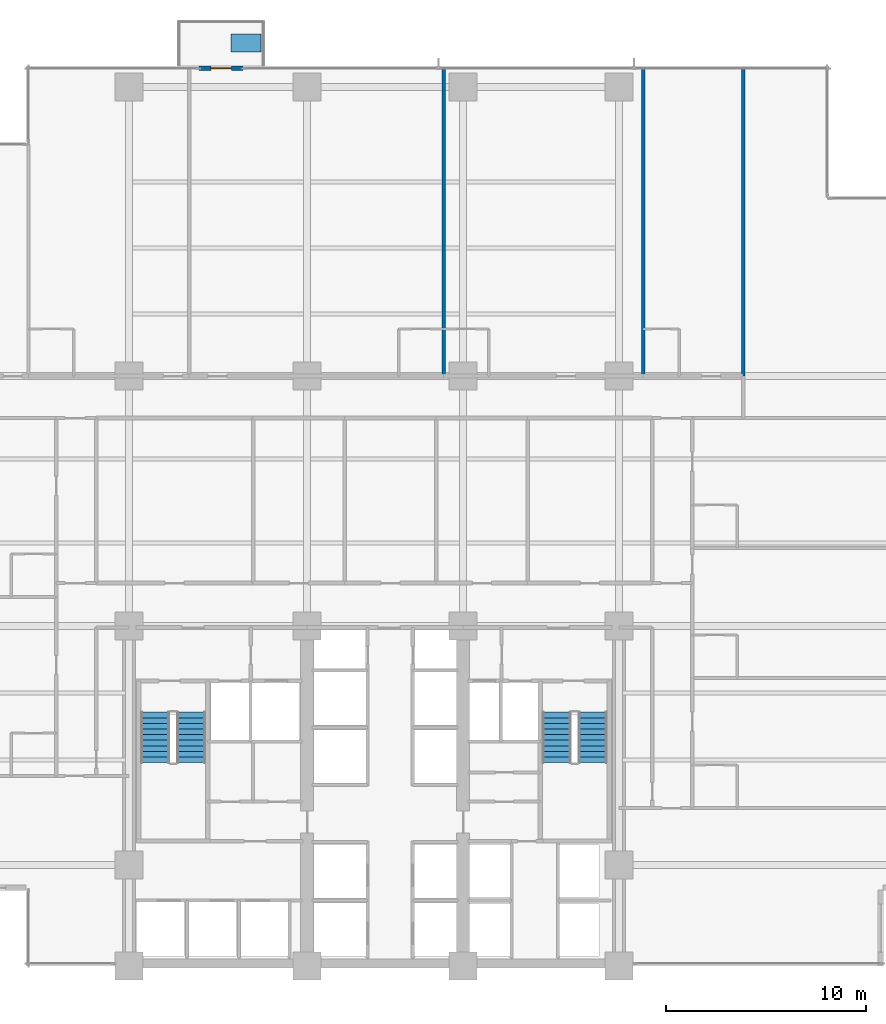
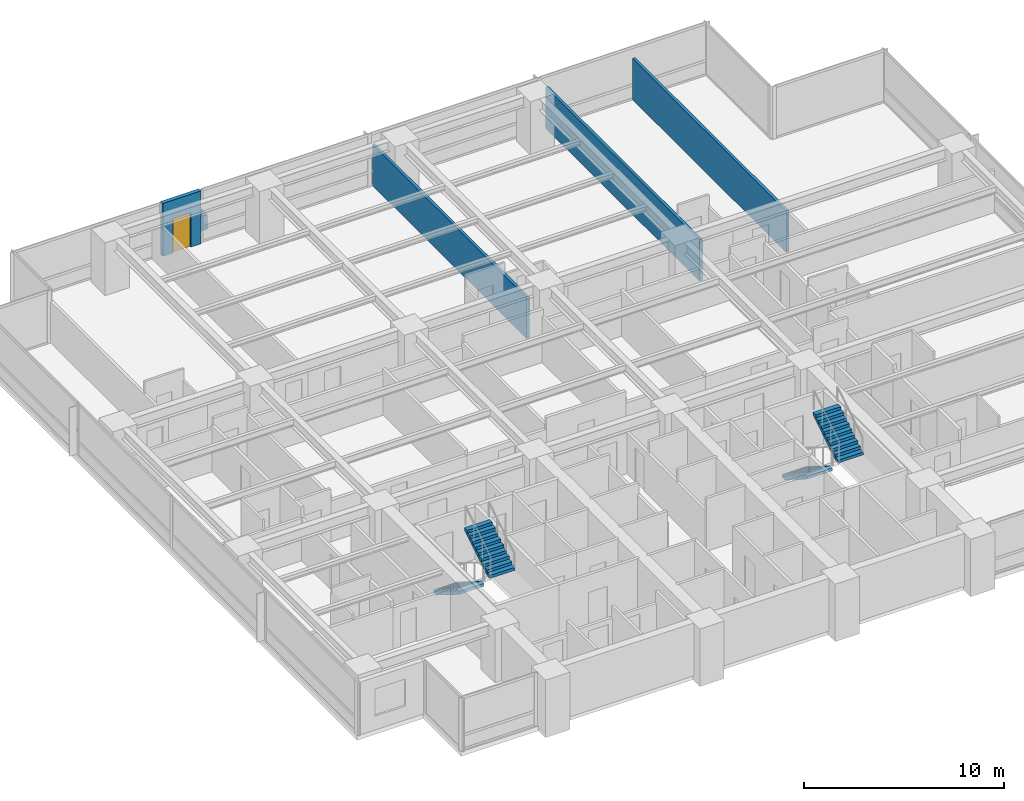
# One storey, part 11 of 16: 4 stair flights, 4 walls, 1 discrete accessory, 1 door, 1 opening, 2 elements without a shape of their own.
"""IFC4 building model written with IfcOpenShell, lengths in metres."""

from ifc_helpers import new_model, si_unit, direction, frame, frame_2d, origin, place, context, subcontext, project, spatial, polyline, rectangle, outline, extrude, material, layer, layer_set, type_object, element, fill, aggregate, save


model = new_model("IFC4")

# Units and contexts
model_context = context("Model", 3, precision=1e-05, world=origin(), true_north=direction((0.0, 1.0)))
body_context = subcontext(model_context, "Body", "Model", "MODEL_VIEW")
ifc_project = project(units=[si_unit("LENGTHUNIT", "METRE"), si_unit("AREAUNIT", "SQUARE_METRE"), si_unit("VOLUMEUNIT", "CUBIC_METRE"), si_unit("PLANEANGLEUNIT", "RADIAN"), si_unit("MASSUNIT", "GRAM", prefix="KILO")], contexts=[model_context])

# Site, building, storey
site_placement = place(None, origin())
site = spatial("IfcSite", under=ifc_project, at=site_placement, CompositionType="ELEMENT")
building_placement = place(site_placement, origin())
building = spatial("IfcBuilding", under=site, at=building_placement, Name="Qalmaran Belvedere Hotel", CompositionType="ELEMENT")
storey_placement = place(building_placement, frame((0.0, 0.0, 43.89990234375)))
storey = spatial("IfcBuildingStorey", under=building, at=storey_placement, Name="L10", CompositionType="ELEMENT", Elevation=43.89990234375)

# Wall, opening, door
ifc_material_1 = material(Name="Anodised Bronze Cladding")
ifc_layer_1 = layer(ifc_material_1, 0.22509765625, Name="Anodised Bronze Cladding")
ifc_layer_set_1 = layer_set([ifc_layer_1], Name="Anodised Bronze Cladding")
wall_type_1 = type_object("IfcWallType", Name="WL-BAL-PORT-225", PredefinedType="SOLIDWALL", material=ifc_layer_set_1)
wall_placement = place(storey_placement, frame((23.800048828125, 48.3798828125, 0.0), z_axis=(0.0, 0.0, 1.0), x_axis=(1.0, 0.0, 0.0)))
wall = element("IfcWall", 1, at=wall_placement, inside=storey, type_object=wall_type_1, Name="L10 Tree Balcony Door Portal", PredefinedType="SOLIDWALL", context=body_context, shape_type="SweptSolid", body=[
    extrude(rectangle(XDim=2.199951171875, YDim=0.22509765625, at=frame_2d((1.10009765625, 0.0))), origin(), (0.0, 0.0, 1.0), 3.22021484375),
])
opening_placement = place(wall_placement, frame((0.590087890625, 0.0, 0.0)))
opening = element("IfcOpeningElement", 2, at=opening_placement, cuts=wall, Name="Opening BL-102", PredefinedType="OPENING", context=body_context, shape_type="SweptSolid", body=[
    extrude(rectangle(XDim=1.02001953125, YDim=2.10009765625, at=frame_2d((0.510009765625, 1.050048828125))), frame((0.0, 0.12255859375, 0.0), z_axis=(0.0, -1.0, 0.0), x_axis=(1.0, 0.0, 0.0)), (0.0, 0.0, 1.0), 0.2451171875),
])
ifc_material_2 = material(Name="Anodised Bronze Aluminium", Category="aluminium")
door_type = type_object("IfcDoorType", Name="DR-BAL-1020X2100", OperationType="NOTDEFINED", PredefinedType="DOOR", material=ifc_material_2)
door_placement = place(opening_placement, origin())
door = element("IfcDoor", 3, at=door_placement, inside=storey, type_object=door_type, Name="L10 Planted Tree Balcony Door", OperationType="SINGLE_SWING_LEFT", OverallHeight=2.10009765625, OverallWidth=1.02001953125, PredefinedType="DOOR", context=body_context, shape_type="SweptSolid", body=[
    extrude(rectangle(XDim=1.02001953125, YDim=2.10009765625, at=frame_2d((0.510009765625, 1.050048828125))), frame((0.0, 0.02490234375, 0.0), z_axis=(0.0, -1.0, 0.0), x_axis=(1.0, 0.0, 0.0)), (0.0, 0.0, 1.0), 0.050048828125),
])
fill(opening, door)

# Walls
ifc_material_3 = material(Name="Gypsum Stud Partition")
ifc_layer_2 = layer(ifc_material_3, 0.159912109375, Name="Gypsum Stud Partition")
ifc_layer_set_2 = layer_set([ifc_layer_2], Name="Gypsum Stud Partition")
wall_type_2 = type_object("IfcWallType", Name="WL-INT-160-EI60", PredefinedType="PARTITIONING", material=ifc_layer_set_2)
for number, where, z_axis, x_axis, name in (
    (4, (36.023193359375, 33.0, 0.0), (0.0, 0.0, 1.0), (0.0, 1.0, 0.0), "L10 Partition WL-L10-NUR01"),
    (5, (46.000732421875, 33.0, 0.0), (0.0, 0.0, 1.0), (0.0, 1.0, 0.0), "L10 Partition WL-L10-NUR02"),
    (6, (51.0, 33.0, 0.0), (0.0, 0.0, 1.0), (0.0, 1.0, 0.0), "L10 Partition WL-L10-NUR03"),
):
    element("IfcWall", number, at=place(storey_placement, frame(where, z_axis=z_axis, x_axis=x_axis)), inside=storey, type_object=wall_type_2, Name=name, PredefinedType="PARTITIONING", context=body_context, shape_type="SweptSolid", body=[
        extrude(rectangle(XDim=15.3798828125, YDim=0.159912109375, at=frame_2d((7.68994140625, 0.0))), origin(), (0.0, 0.0, 1.0), 2.510009765625),
    ])

# Stair, stair flights
ifc_material_4 = material(Name="Concrete C40/50", Category="concrete")
stair_type_1 = type_object("IfcStairType", Name="STR-ST-1-1450-R1750", PredefinedType="HALF_TURN_STAIR", material=ifc_material_4)
stair_1_placement = place(storey_placement, origin())
stair_1 = element("IfcStair", 7, at=stair_1_placement, inside=storey, type_object=stair_type_1, Name="L10 West Core Exit Stair ST-1", PredefinedType="HALF_TURN_STAIR")
ifc_layer_3 = layer(ifc_material_4, 0.14990234375, Name="Concrete C40/50")
ifc_layer_set_3 = layer_set([ifc_layer_3], Name="Concrete C40/50")
stair_flight_type_1 = type_object("IfcStairFlightType", Name="STF-ST-1-1450-R1750", PredefinedType="STRAIGHT", material=ifc_layer_set_3)
stair_flight_1_placement = place(storey_placement, frame((21.60498046875, 16.18994140625, 0.0), z_axis=(0.0, 0.0, 1.0), x_axis=(0.0, -1.0, 0.0)))
stair_flight_1 = element("IfcStairFlight", 8, at=stair_flight_1_placement, type_object=stair_flight_type_1, Name="ST-1 flight 1", NumberOfRisers=10, NumberOfTreads=9, PredefinedType="STRAIGHT", RiserHeight=0.175, TreadLength=0.28, context=body_context, shape_type="SweptSolid", body=[
    extrude(outline(polyline([(0.0, 0.0), (0.0, 0.175048828125), (0.280029296875, 0.175048828125), (0.280029296875, 0.35009765625), (0.56005859375, 0.35009765625), (0.56005859375, 0.52490234375), (0.840087890625, 0.52490234375), (0.840087890625, 0.699951171875), (1.1201171875, 0.699951171875), (1.1201171875, 0.875), (1.39990234375, 0.875), (1.39990234375, 1.050048828125), (1.679931640625, 1.050048828125), (1.679931640625, 1.22509765625), (1.9599609375, 1.22509765625), (1.9599609375, 1.39990234375), (2.239990234375, 1.39990234375), (2.239990234375, 1.574951171875), (2.52001953125, 1.574951171875), (2.52001953125, 1.75), (2.52001953125, 1.398193359375), (0.28271484375, 0.0), (0.0, 0.0)])), frame((0.0, 0.72509765625, 0.0), z_axis=(0.0, -1.0, 0.0), x_axis=(1.0, 0.0, 0.0)), (0.0, 0.0, 1.0), 1.449951171875),
])
stair_flight_2_placement = place(storey_placement, frame((23.39501953125, 13.669921875, 1.75), z_axis=(0.0, 0.0, 1.0), x_axis=(0.0, 1.0, 0.0)))
stair_flight_2 = element("IfcStairFlight", 9, at=stair_flight_2_placement, type_object=stair_flight_type_1, Name="ST-1 flight 2", NumberOfRisers=10, NumberOfTreads=9, PredefinedType="STRAIGHT", RiserHeight=0.175, TreadLength=0.28, context=body_context, shape_type="SweptSolid", body=[
    extrude(outline(polyline([(0.0, 0.0), (0.0, 0.175048828125), (0.280029296875, 0.175048828125), (0.280029296875, 0.35009765625), (0.56005859375, 0.35009765625), (0.56005859375, 0.52490234375), (0.840087890625, 0.52490234375), (0.840087890625, 0.699951171875), (1.1201171875, 0.699951171875), (1.1201171875, 0.875), (1.39990234375, 0.875), (1.39990234375, 1.050048828125), (1.679931640625, 1.050048828125), (1.679931640625, 1.22509765625), (1.9599609375, 1.22509765625), (1.9599609375, 1.39990234375), (2.239990234375, 1.39990234375), (2.239990234375, 1.574951171875), (2.52001953125, 1.574951171875), (2.52001953125, 1.75), (2.52001953125, 1.398193359375), (0.28271484375, 0.0), (0.0, 0.0)])), frame((0.0, 0.72509765625, 0.0), z_axis=(0.0, -1.0, 0.0), x_axis=(1.0, 0.0, 0.0)), (0.0, 0.0, 1.0), 1.449951171875),
])
aggregate(stair_1, [stair_flight_1, stair_flight_2])

stair_type_2 = type_object("IfcStairType", Name="STR-ST-2-1450-R1750", PredefinedType="HALF_TURN_STAIR", material=ifc_material_4)
stair_2_placement = place(storey_placement, origin())
stair_2 = element("IfcStair", 10, at=stair_2_placement, inside=storey, type_object=stair_type_2, Name="L10 East Core Exit Stair ST-2", PredefinedType="HALF_TURN_STAIR")
ifc_layer_4 = layer(ifc_material_4, 0.14990234375, Name="Concrete C40/50")
ifc_layer_set_4 = layer_set([ifc_layer_4], Name="Concrete C40/50")
stair_flight_type_2 = type_object("IfcStairFlightType", Name="STF-ST-2-1450-R1750", PredefinedType="STRAIGHT", material=ifc_layer_set_4)
stair_flight_3_placement = place(storey_placement, frame((41.68505859375, 16.18994140625, 0.0), z_axis=(0.0, 0.0, 1.0), x_axis=(0.0, -1.0, 0.0)))
stair_flight_3 = element("IfcStairFlight", 11, at=stair_flight_3_placement, type_object=stair_flight_type_2, Name="ST-2 flight 1", NumberOfRisers=10, NumberOfTreads=9, PredefinedType="STRAIGHT", RiserHeight=0.175, TreadLength=0.28, context=body_context, shape_type="SweptSolid", body=[
    extrude(outline(polyline([(0.0, 0.0), (0.0, 0.175048828125), (0.280029296875, 0.175048828125), (0.280029296875, 0.35009765625), (0.56005859375, 0.35009765625), (0.56005859375, 0.52490234375), (0.840087890625, 0.52490234375), (0.840087890625, 0.699951171875), (1.1201171875, 0.699951171875), (1.1201171875, 0.875), (1.39990234375, 0.875), (1.39990234375, 1.050048828125), (1.679931640625, 1.050048828125), (1.679931640625, 1.22509765625), (1.9599609375, 1.22509765625), (1.9599609375, 1.39990234375), (2.239990234375, 1.39990234375), (2.239990234375, 1.574951171875), (2.52001953125, 1.574951171875), (2.52001953125, 1.75), (2.52001953125, 1.398193359375), (0.28271484375, 0.0), (0.0, 0.0)])), frame((0.0, 0.72509765625, 0.0), z_axis=(0.0, -1.0, 0.0), x_axis=(1.0, 0.0, 0.0)), (0.0, 0.0, 1.0), 1.449951171875),
])
stair_flight_4_placement = place(storey_placement, frame((43.47509765625, 13.669921875, 1.75), z_axis=(0.0, 0.0, 1.0), x_axis=(0.0, 1.0, 0.0)))
stair_flight_4 = element("IfcStairFlight", 12, at=stair_flight_4_placement, type_object=stair_flight_type_2, Name="ST-2 flight 2", NumberOfRisers=10, NumberOfTreads=9, PredefinedType="STRAIGHT", RiserHeight=0.175, TreadLength=0.28, context=body_context, shape_type="SweptSolid", body=[
    extrude(outline(polyline([(0.0, 0.0), (0.0, 0.175048828125), (0.280029296875, 0.175048828125), (0.280029296875, 0.35009765625), (0.56005859375, 0.35009765625), (0.56005859375, 0.52490234375), (0.840087890625, 0.52490234375), (0.840087890625, 0.699951171875), (1.1201171875, 0.699951171875), (1.1201171875, 0.875), (1.39990234375, 0.875), (1.39990234375, 1.050048828125), (1.679931640625, 1.050048828125), (1.679931640625, 1.22509765625), (1.9599609375, 1.22509765625), (1.9599609375, 1.39990234375), (2.239990234375, 1.39990234375), (2.239990234375, 1.574951171875), (2.52001953125, 1.574951171875), (2.52001953125, 1.75), (2.52001953125, 1.398193359375), (0.28271484375, 0.0), (0.0, 0.0)])), frame((0.0, 0.72509765625, 0.0), z_axis=(0.0, -1.0, 0.0), x_axis=(1.0, 0.0, 0.0)), (0.0, 0.0, 1.0), 1.449951171875),
])
aggregate(stair_2, [stair_flight_3, stair_flight_4])

# Discrete accessory
discrete_accessory_type = type_object("IfcDiscreteAccessoryType", Name="PLN-BAL-1500", PredefinedType="USERDEFINED", material=ifc_material_4)
discrete_accessory_placement = place(storey_placement, origin())
element("IfcDiscreteAccessory", 13, at=discrete_accessory_placement, inside=storey, type_object=discrete_accessory_type, Name="L10 Sky Tree Planter", ObjectType="PLANTER", PredefinedType="USERDEFINED", context=body_context, shape_type="SweptSolid", body=[
    extrude(outline(polyline([(25.39990234375, 49.199951171875), (26.89990234375, 49.199951171875), (26.89990234375, 50.10009765625), (25.39990234375, 50.10009765625), (25.39990234375, 49.199951171875)])), origin(), (0.0, 0.0, 1.0), 0.900146484375),
])

save(model, "model.ifc")
